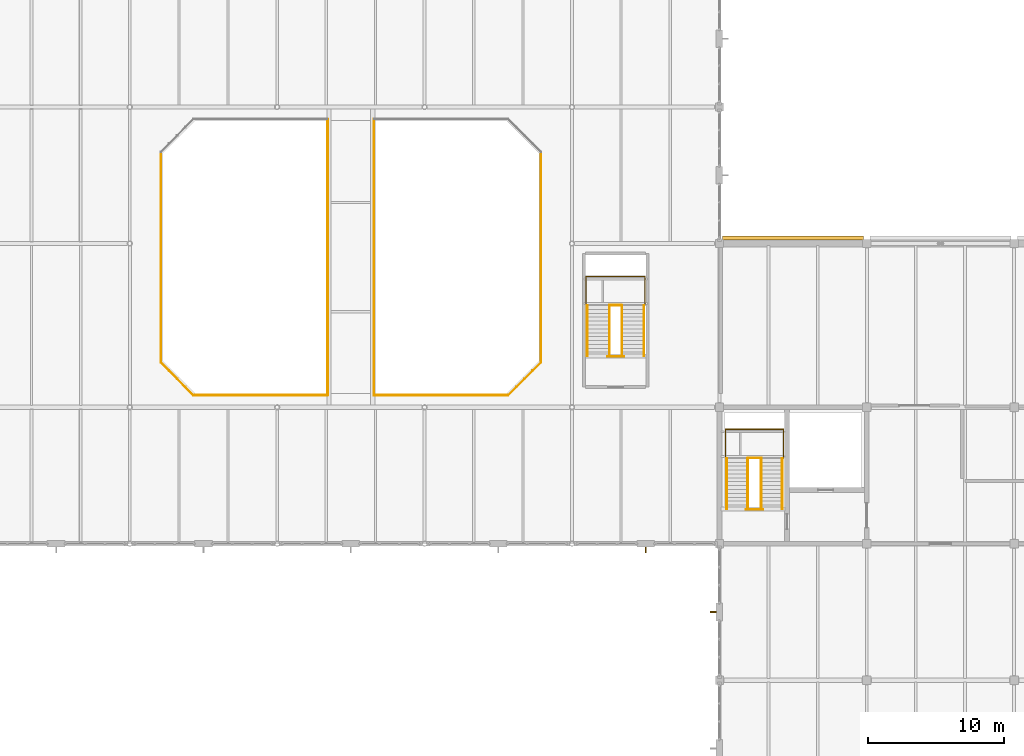
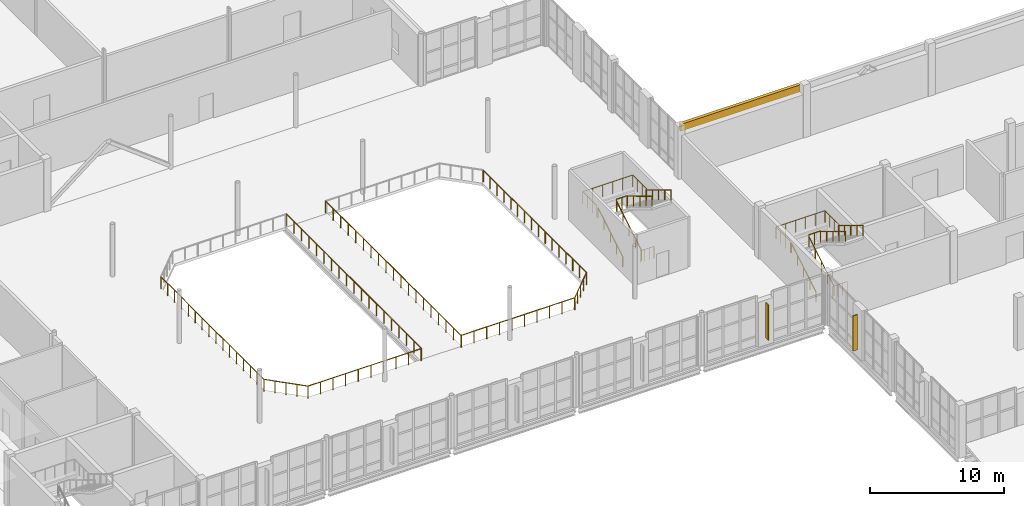
# One storey, part 94 of 100: 22 railings, 2 shading devices, 1 covering.
"""IFC4 building model written with IfcOpenShell, lengths in metres."""

from ifc_helpers import new_model, si_unit, direction, frame, origin, origin_2d, place, context, subcontext, project, spatial, rectangle, circle, extrude, material, layer, layer_set, type_object, element, save


model = new_model("IFC4")

# Units and contexts
model_context = context("Model", 3, precision=1e-05, world=origin(), true_north=direction((0.0, 1.0)))
body_context = subcontext(model_context, "Body", "Model", "MODEL_VIEW")
ifc_project = project(units=[si_unit("LENGTHUNIT", "METRE"), si_unit("AREAUNIT", "SQUARE_METRE"), si_unit("VOLUMEUNIT", "CUBIC_METRE"), si_unit("PLANEANGLEUNIT", "RADIAN"), si_unit("MASSUNIT", "GRAM", prefix="KILO")], contexts=[model_context])

# Site, building, storey
site_placement = place(None, origin())
site = spatial("IfcSite", under=ifc_project, at=site_placement, CompositionType="ELEMENT")
building_placement = place(site_placement, origin())
building = spatial("IfcBuilding", under=site, at=building_placement, Name="Tasgan Crest Museum", CompositionType="ELEMENT")
storey_placement = place(building_placement, frame((0.0, 0.0, 9.60009765625)))
storey = spatial("IfcBuildingStorey", under=building, at=storey_placement, Name="L02", CompositionType="ELEMENT", Elevation=9.60009765625)

# Covering
ifc_material_1 = material(Name="Honed Buff Limestone", Category="masonry")
ifc_layer = layer(ifc_material_1, 0.044921875, Name="COV-LIMESTONE-BUFF")
ifc_layer_set = layer_set([ifc_layer], Name="Honed Buff Limestone")
covering_type = type_object("IfcCoveringType", Name="COV-LIMESTONE-BUFF", PredefinedType="CLADDING", material=ifc_layer_set)
covering_placement = place(storey_placement, frame((113.39990234375, 62.39990234375, 3.87890625), z_axis=(0.0, 0.0, 1.0), x_axis=(-1.0, 0.0, 0.0)))
element("IfcCovering", 1, at=covering_placement, inside=storey, type_object=covering_type, Name="Stone frieze cladding L02", PredefinedType="CLADDING", context=body_context, shape_type="SweptSolid", body=[
    extrude(rectangle(XDim=10.31005859375, YDim=0.280029296875, at=origin_2d()), origin(), (0.0, 0.0, 1.0), 0.631103515625),
])

# Railings
ifc_material_2 = material(Name="Brushed Bronze and Toughened Glass", Category="glass")
railing_type_1 = type_object("IfcRailingType", Name="RL-INT-GUARD-1120", PredefinedType="GUARDRAIL", material=ifc_material_2)
railing_1_placement = place(storey_placement, frame((109.93994140625, 42.52001953125, 0.0)))
element("IfcRailing", 2, at=railing_1_placement, inside=storey, type_object=railing_type_1, Name="East Conservation Core floor slot guard L02", PredefinedType="GUARDRAIL", context=body_context, shape_type="SweptSolid", body=[
    extrude(circle(Radius=0.02392578125, at=origin_2d()), frame((0.0, 0.0, 1.09619140625), z_axis=(1.0, 0.0, 0.0), x_axis=(0.0, 1.0, 0.0)), (0.0, 0.0, 1.0), 1.27001953125),
    extrude(circle(Radius=0.02099609375, at=origin_2d()), origin(), (0.0, 0.0, 1.0), 1.072021484375),
    extrude(circle(Radius=0.02099609375, at=origin_2d()), frame((0.42333984375, 0.0, 0.0)), (0.0, 0.0, 1.0), 1.072021484375),
    extrude(circle(Radius=0.02099609375, at=origin_2d()), frame((0.8466796875, 0.0, 0.0)), (0.0, 0.0, 1.0), 1.072021484375),
    extrude(circle(Radius=0.02099609375, at=origin_2d()), frame((1.27001953125, 0.0, 0.0)), (0.0, 0.0, 1.0), 1.072021484375),
])
railing_2_placement = place(storey_placement, frame((110.080078125, 46.27490234375, 2.39990234375)))
element("IfcRailing", 3, at=railing_2_placement, inside=storey, type_object=railing_type_1, Name="Stair half-landing well guard ST-SE-L02 T1", PredefinedType="GUARDRAIL", context=body_context, shape_type="SweptSolid", body=[
    extrude(circle(Radius=0.02392578125, at=origin_2d()), frame((0.0, 0.0, 1.09619140625), z_axis=(1.0, 0.0, 0.0), x_axis=(0.0, 1.0, 0.0)), (0.0, 0.0, 1.0), 0.989990234375),
    extrude(circle(Radius=0.02099609375, at=origin_2d()), origin(), (0.0, 0.0, 1.0), 1.072021484375),
    extrude(circle(Radius=0.02099609375, at=origin_2d()), frame((0.4951171875, 0.0, 0.0)), (0.0, 0.0, 1.0), 1.072021484375),
    extrude(circle(Radius=0.02099609375, at=origin_2d()), frame((0.989990234375, 0.0, 0.0)), (0.0, 0.0, 1.0), 1.072021484375),
])
railing_3_placement = place(storey_placement, frame((108.4599609375, 46.294921875, 2.39990234375)))
element("IfcRailing", 4, at=railing_3_placement, inside=storey, type_object=railing_type_1, Name="Stair half-landing perimeter guard ST-SE-L02 T1", PredefinedType="GUARDRAIL", context=body_context, shape_type="SweptSolid", body=[
    extrude(circle(Radius=0.02392578125, at=origin_2d()), frame((0.0, 0.0, 1.09619140625), z_axis=(0.0, 1.0, 0.0), x_axis=(-1.0, 0.0, 0.0)), (0.0, 0.0, 1.0), 2.10009765625),
    extrude(circle(Radius=0.02392578125, at=origin_2d()), frame((0.0, 2.10009765625, 1.09619140625), z_axis=(1.0, 0.0, 0.0), x_axis=(0.0, 1.0, 0.0)), (0.0, 0.0, 1.0), 4.22998046875),
    extrude(circle(Radius=0.02392578125, at=origin_2d()), frame((4.22998046875, 2.10009765625, 1.09619140625), z_axis=(0.0, -1.0, 0.0), x_axis=(1.0, 0.0, 0.0)), (0.0, 0.0, 1.0), 2.10009765625),
    extrude(circle(Radius=0.02099609375, at=origin_2d()), origin(), (0.0, 0.0, 1.0), 1.072021484375),
    extrude(circle(Radius=0.02099609375, at=origin_2d()), frame((0.0, 0.699951171875, 0.0)), (0.0, 0.0, 1.0), 1.072021484375),
    extrude(circle(Radius=0.02099609375, at=origin_2d()), frame((0.0, 1.400146484375, 0.0)), (0.0, 0.0, 1.0), 1.072021484375),
    extrude(circle(Radius=0.02099609375, at=origin_2d()), frame((0.0, 2.10009765625, 0.0)), (0.0, 0.0, 1.0), 1.072021484375),
    extrude(circle(Radius=0.02099609375, at=origin_2d()), frame((0.845947265625, 2.10009765625, 0.0)), (0.0, 0.0, 1.0), 1.072021484375),
    extrude(circle(Radius=0.02099609375, at=origin_2d()), frame((1.69189453125, 2.10009765625, 0.0)), (0.0, 0.0, 1.0), 1.072021484375),
    extrude(circle(Radius=0.02099609375, at=origin_2d()), frame((2.5380859375, 2.10009765625, 0.0)), (0.0, 0.0, 1.0), 1.072021484375),
    extrude(circle(Radius=0.02099609375, at=origin_2d()), frame((3.384033203125, 2.10009765625, 0.0)), (0.0, 0.0, 1.0), 1.072021484375),
    extrude(circle(Radius=0.02099609375, at=origin_2d()), frame((4.22998046875, 2.10009765625, 0.0)), (0.0, 0.0, 1.0), 1.072021484375),
    extrude(circle(Radius=0.02099609375, at=origin_2d()), frame((4.22998046875, 1.400146484375, 0.0)), (0.0, 0.0, 1.0), 1.072021484375),
    extrude(circle(Radius=0.02099609375, at=origin_2d()), frame((4.22998046875, 0.699951171875, 0.0)), (0.0, 0.0, 1.0), 1.072021484375),
    extrude(circle(Radius=0.02099609375, at=origin_2d()), frame((4.22998046875, 0.0, 0.0)), (0.0, 0.0, 1.0), 1.072021484375),
])
railing_4_placement = place(storey_placement, frame((99.800048828125, 53.719970703125, 0.0)))
element("IfcRailing", 5, at=railing_4_placement, inside=storey, type_object=railing_type_1, Name="ATRIUM floor slot guard L02", PredefinedType="GUARDRAIL", context=body_context, shape_type="SweptSolid", body=[
    extrude(circle(Radius=0.02392578125, at=origin_2d()), frame((0.0, 0.0, 1.09619140625), z_axis=(1.0, 0.0, 0.0), x_axis=(0.0, 1.0, 0.0)), (0.0, 0.0, 1.0), 1.199951171875),
    extrude(circle(Radius=0.02099609375, at=origin_2d()), origin(), (0.0, 0.0, 1.0), 1.072021484375),
    extrude(circle(Radius=0.02099609375, at=origin_2d()), frame((0.39990234375, 0.0, 0.0)), (0.0, 0.0, 1.0), 1.072021484375),
    extrude(circle(Radius=0.02099609375, at=origin_2d()), frame((0.800048828125, 0.0, 0.0)), (0.0, 0.0, 1.0), 1.072021484375),
    extrude(circle(Radius=0.02099609375, at=origin_2d()), frame((1.199951171875, 0.0, 0.0)), (0.0, 0.0, 1.0), 1.072021484375),
])
railing_5_placement = place(storey_placement, frame((99.93994140625, 57.47509765625, 2.39990234375)))
element("IfcRailing", 6, at=railing_5_placement, inside=storey, type_object=railing_type_1, Name="Stair half-landing well guard ST-AT-L02 T1", PredefinedType="GUARDRAIL", context=body_context, shape_type="SweptSolid", body=[
    extrude(circle(Radius=0.02392578125, at=origin_2d()), frame((0.0, 0.0, 1.09619140625), z_axis=(1.0, 0.0, 0.0), x_axis=(0.0, 1.0, 0.0)), (0.0, 0.0, 1.0), 0.920166015625),
    extrude(circle(Radius=0.02099609375, at=origin_2d()), origin(), (0.0, 0.0, 1.0), 1.072021484375),
    extrude(circle(Radius=0.02099609375, at=origin_2d()), frame((0.4599609375, 0.0, 0.0)), (0.0, 0.0, 1.0), 1.072021484375),
    extrude(circle(Radius=0.02099609375, at=origin_2d()), frame((0.920166015625, 0.0, 0.0)), (0.0, 0.0, 1.0), 1.072021484375),
])
railing_6_placement = place(storey_placement, frame((98.239990234375, 57.4951171875, 2.39990234375)))
element("IfcRailing", 7, at=railing_6_placement, inside=storey, type_object=railing_type_1, Name="Stair half-landing perimeter guard ST-AT-L02 T1", PredefinedType="GUARDRAIL", context=body_context, shape_type="SweptSolid", body=[
    extrude(circle(Radius=0.02392578125, at=origin_2d()), frame((0.0, 0.0, 1.09619140625), z_axis=(0.0, 1.0, 0.0), x_axis=(-1.0, 0.0, 0.0)), (0.0, 0.0, 1.0), 2.099853515625),
    extrude(circle(Radius=0.02392578125, at=origin_2d()), frame((0.0, 2.099853515625, 1.09619140625), z_axis=(1.0, 0.0, 0.0), x_axis=(0.0, 1.0, 0.0)), (0.0, 0.0, 1.0), 4.320068359375),
    extrude(circle(Radius=0.02392578125, at=origin_2d()), frame((4.320068359375, 2.099853515625, 1.09619140625), z_axis=(0.0, -1.0, 0.0), x_axis=(1.0, 0.0, 0.0)), (0.0, 0.0, 1.0), 2.099853515625),
    extrude(circle(Radius=0.02099609375, at=origin_2d()), origin(), (0.0, 0.0, 1.0), 1.072021484375),
    extrude(circle(Radius=0.02099609375, at=origin_2d()), frame((0.0, 0.699951171875, 0.0)), (0.0, 0.0, 1.0), 1.072021484375),
    extrude(circle(Radius=0.02099609375, at=origin_2d()), frame((0.0, 1.39990234375, 0.0)), (0.0, 0.0, 1.0), 1.072021484375),
    extrude(circle(Radius=0.02099609375, at=origin_2d()), frame((0.0, 2.099853515625, 0.0)), (0.0, 0.0, 1.0), 1.072021484375),
    extrude(circle(Radius=0.02099609375, at=origin_2d()), frame((0.864013671875, 2.099853515625, 0.0)), (0.0, 0.0, 1.0), 1.072021484375),
    extrude(circle(Radius=0.02099609375, at=origin_2d()), frame((1.72802734375, 2.099853515625, 0.0)), (0.0, 0.0, 1.0), 1.072021484375),
    extrude(circle(Radius=0.02099609375, at=origin_2d()), frame((2.592041015625, 2.099853515625, 0.0)), (0.0, 0.0, 1.0), 1.072021484375),
    extrude(circle(Radius=0.02099609375, at=origin_2d()), frame((3.4560546875, 2.099853515625, 0.0)), (0.0, 0.0, 1.0), 1.072021484375),
    extrude(circle(Radius=0.02099609375, at=origin_2d()), frame((4.320068359375, 2.099853515625, 0.0)), (0.0, 0.0, 1.0), 1.072021484375),
    extrude(circle(Radius=0.02099609375, at=origin_2d()), frame((4.320068359375, 1.39990234375, 0.0)), (0.0, 0.0, 1.0), 1.072021484375),
    extrude(circle(Radius=0.02099609375, at=origin_2d()), frame((4.320068359375, 0.699951171875, 0.0)), (0.0, 0.0, 1.0), 1.072021484375),
    extrude(circle(Radius=0.02099609375, at=origin_2d()), frame((4.320068359375, 0.0, 0.0)), (0.0, 0.0, 1.0), 1.072021484375),
])
for number, where, name in (
    (8, (69.47998046875, 50.8798828125, 0.0), "Atrium void guard L02 0A"),
    (9, (82.75, 50.8798828125, 0.0), "Atrium void guard L02 0B"),
):
    element("IfcRailing", number, at=place(storey_placement, frame(where)), inside=storey, type_object=railing_type_1, Name=name, PredefinedType="GUARDRAIL", context=body_context, shape_type="SweptSolid", body=[
        extrude(circle(Radius=0.02392578125, at=origin_2d()), frame((0.0, 0.0, 1.09619140625), z_axis=(1.0, 0.0, 0.0), x_axis=(0.0, 1.0, 0.0)), (0.0, 0.0, 1.0), 9.77001953125),
        extrude(circle(Radius=0.02099609375, at=origin_2d()), origin(), (0.0, 0.0, 1.0), 1.072021484375),
        extrude(circle(Radius=0.02099609375, at=origin_2d()), frame((1.08544921875, 0.0, 0.0)), (0.0, 0.0, 1.0), 1.072021484375),
        extrude(circle(Radius=0.02099609375, at=origin_2d()), frame((2.171142578125, 0.0, 0.0)), (0.0, 0.0, 1.0), 1.072021484375),
        extrude(circle(Radius=0.02099609375, at=origin_2d()), frame((3.256591796875, 0.0, 0.0)), (0.0, 0.0, 1.0), 1.072021484375),
        extrude(circle(Radius=0.02099609375, at=origin_2d()), frame((4.34228515625, 0.0, 0.0)), (0.0, 0.0, 1.0), 1.072021484375),
        extrude(circle(Radius=0.02099609375, at=origin_2d()), frame((5.427734375, 0.0, 0.0)), (0.0, 0.0, 1.0), 1.072021484375),
        extrude(circle(Radius=0.02099609375, at=origin_2d()), frame((6.513427734375, 0.0, 0.0)), (0.0, 0.0, 1.0), 1.072021484375),
        extrude(circle(Radius=0.02099609375, at=origin_2d()), frame((7.598876953125, 0.0, 0.0)), (0.0, 0.0, 1.0), 1.072021484375),
        extrude(circle(Radius=0.02099609375, at=origin_2d()), frame((8.6845703125, 0.0, 0.0)), (0.0, 0.0, 1.0), 1.072021484375),
        extrude(circle(Radius=0.02099609375, at=origin_2d()), frame((9.77001953125, 0.0, 0.0)), (0.0, 0.0, 1.0), 1.072021484375),
    ])
railing_7_placement = place(storey_placement, frame((92.52001953125, 50.8798828125, 0.0)))
element("IfcRailing", 10, at=railing_7_placement, inside=storey, type_object=railing_type_1, Name="Atrium void guard L02 1", PredefinedType="GUARDRAIL", context=body_context, shape_type="SweptSolid", body=[
    extrude(circle(Radius=0.02392578125, at=origin_2d()), frame((0.0, 0.0, 1.09619140625), z_axis=(0.707070815327, 0.707142745217, 0.0), x_axis=(-0.707142745217, 0.707070815327, 0.0)), (0.0, 0.0, 1.0), 3.39404296875),
    extrude(circle(Radius=0.02099609375, at=origin_2d()), origin(), (0.0, 0.0, 1.0), 1.072021484375),
    extrude(circle(Radius=0.02099609375, at=origin_2d()), frame((0.60009765625, 0.60009765625, 0.0)), (0.0, 0.0, 1.0), 1.072021484375),
    extrude(circle(Radius=0.02099609375, at=origin_2d()), frame((1.199951171875, 1.2001953125, 0.0)), (0.0, 0.0, 1.0), 1.072021484375),
    extrude(circle(Radius=0.02099609375, at=origin_2d()), frame((1.7998046875, 1.800048828125, 0.0)), (0.0, 0.0, 1.0), 1.072021484375),
    extrude(circle(Radius=0.02099609375, at=origin_2d()), frame((2.39990234375, 2.400146484375, 0.0)), (0.0, 0.0, 1.0), 1.072021484375),
])
railing_8_placement = place(storey_placement, frame((94.919921875, 53.280029296875, 0.0)))
element("IfcRailing", 11, at=railing_8_placement, inside=storey, type_object=railing_type_1, Name="Atrium void guard L02 2", PredefinedType="GUARDRAIL", context=body_context, shape_type="SweptSolid", body=[
    extrude(circle(Radius=0.02392578125, at=origin_2d()), frame((0.0, 0.0, 1.09619140625), z_axis=(0.0, 1.0, 0.0), x_axis=(-1.0, 0.0, 0.0)), (0.0, 0.0, 1.0), 15.43994140625),
    extrude(circle(Radius=0.02099609375, at=origin_2d()), origin(), (0.0, 0.0, 1.0), 1.072021484375),
    extrude(circle(Radius=0.02099609375, at=origin_2d()), frame((0.0, 1.029296875, 0.0)), (0.0, 0.0, 1.0), 1.072021484375),
    extrude(circle(Radius=0.02099609375, at=origin_2d()), frame((0.0, 2.05859375, 0.0)), (0.0, 0.0, 1.0), 1.072021484375),
    extrude(circle(Radius=0.02099609375, at=origin_2d()), frame((0.0, 3.087890625, 0.0)), (0.0, 0.0, 1.0), 1.072021484375),
    extrude(circle(Radius=0.02099609375, at=origin_2d()), frame((0.0, 4.117431640625, 0.0)), (0.0, 0.0, 1.0), 1.072021484375),
    extrude(circle(Radius=0.02099609375, at=origin_2d()), frame((0.0, 5.146728515625, 0.0)), (0.0, 0.0, 1.0), 1.072021484375),
    extrude(circle(Radius=0.02099609375, at=origin_2d()), frame((0.0, 6.176025390625, 0.0)), (0.0, 0.0, 1.0), 1.072021484375),
    extrude(circle(Radius=0.02099609375, at=origin_2d()), frame((0.0, 7.205322265625, 0.0)), (0.0, 0.0, 1.0), 1.072021484375),
    extrude(circle(Radius=0.02099609375, at=origin_2d()), frame((0.0, 8.234619140625, 0.0)), (0.0, 0.0, 1.0), 1.072021484375),
    extrude(circle(Radius=0.02099609375, at=origin_2d()), frame((0.0, 9.263916015625, 0.0)), (0.0, 0.0, 1.0), 1.072021484375),
    extrude(circle(Radius=0.02099609375, at=origin_2d()), frame((0.0, 10.293212890625, 0.0)), (0.0, 0.0, 1.0), 1.072021484375),
    extrude(circle(Radius=0.02099609375, at=origin_2d()), frame((0.0, 11.322509765625, 0.0)), (0.0, 0.0, 1.0), 1.072021484375),
    extrude(circle(Radius=0.02099609375, at=origin_2d()), frame((0.0, 12.35205078125, 0.0)), (0.0, 0.0, 1.0), 1.072021484375),
    extrude(circle(Radius=0.02099609375, at=origin_2d()), frame((0.0, 13.38134765625, 0.0)), (0.0, 0.0, 1.0), 1.072021484375),
    extrude(circle(Radius=0.02099609375, at=origin_2d()), frame((0.0, 14.41064453125, 0.0)), (0.0, 0.0, 1.0), 1.072021484375),
    extrude(circle(Radius=0.02099609375, at=origin_2d()), frame((0.0, 15.43994140625, 0.0)), (0.0, 0.0, 1.0), 1.072021484375),
])
railing_9_placement = place(storey_placement, frame((67.080078125, 68.719970703125, 0.0)))
element("IfcRailing", 12, at=railing_9_placement, inside=storey, type_object=railing_type_1, Name="Atrium void guard L02 6", PredefinedType="GUARDRAIL", context=body_context, shape_type="SweptSolid", body=[
    extrude(circle(Radius=0.02392578125, at=origin_2d()), frame((0.0, 0.0, 1.09619140625), z_axis=(0.0, -1.0, 0.0), x_axis=(1.0, 0.0, 0.0)), (0.0, 0.0, 1.0), 15.43994140625),
    extrude(circle(Radius=0.02099609375, at=origin_2d()), origin(), (0.0, 0.0, 1.0), 1.072021484375),
    extrude(circle(Radius=0.02099609375, at=origin_2d()), frame((0.0, -1.029296875, 0.0)), (0.0, 0.0, 1.0), 1.072021484375),
    extrude(circle(Radius=0.02099609375, at=origin_2d()), frame((0.0, -2.05859375, 0.0)), (0.0, 0.0, 1.0), 1.072021484375),
    extrude(circle(Radius=0.02099609375, at=origin_2d()), frame((0.0, -3.087890625, 0.0)), (0.0, 0.0, 1.0), 1.072021484375),
    extrude(circle(Radius=0.02099609375, at=origin_2d()), frame((0.0, -4.117431640625, 0.0)), (0.0, 0.0, 1.0), 1.072021484375),
    extrude(circle(Radius=0.02099609375, at=origin_2d()), frame((0.0, -5.146728515625, 0.0)), (0.0, 0.0, 1.0), 1.072021484375),
    extrude(circle(Radius=0.02099609375, at=origin_2d()), frame((0.0, -6.176025390625, 0.0)), (0.0, 0.0, 1.0), 1.072021484375),
    extrude(circle(Radius=0.02099609375, at=origin_2d()), frame((0.0, -7.205322265625, 0.0)), (0.0, 0.0, 1.0), 1.072021484375),
    extrude(circle(Radius=0.02099609375, at=origin_2d()), frame((0.0, -8.234619140625, 0.0)), (0.0, 0.0, 1.0), 1.072021484375),
    extrude(circle(Radius=0.02099609375, at=origin_2d()), frame((0.0, -9.263916015625, 0.0)), (0.0, 0.0, 1.0), 1.072021484375),
    extrude(circle(Radius=0.02099609375, at=origin_2d()), frame((0.0, -10.293212890625, 0.0)), (0.0, 0.0, 1.0), 1.072021484375),
    extrude(circle(Radius=0.02099609375, at=origin_2d()), frame((0.0, -11.322509765625, 0.0)), (0.0, 0.0, 1.0), 1.072021484375),
    extrude(circle(Radius=0.02099609375, at=origin_2d()), frame((0.0, -12.35205078125, 0.0)), (0.0, 0.0, 1.0), 1.072021484375),
    extrude(circle(Radius=0.02099609375, at=origin_2d()), frame((0.0, -13.38134765625, 0.0)), (0.0, 0.0, 1.0), 1.072021484375),
    extrude(circle(Radius=0.02099609375, at=origin_2d()), frame((0.0, -14.41064453125, 0.0)), (0.0, 0.0, 1.0), 1.072021484375),
    extrude(circle(Radius=0.02099609375, at=origin_2d()), frame((0.0, -15.43994140625, 0.0)), (0.0, 0.0, 1.0), 1.072021484375),
])
railing_10_placement = place(storey_placement, frame((67.080078125, 53.280029296875, 0.0)))
element("IfcRailing", 13, at=railing_10_placement, inside=storey, type_object=railing_type_1, Name="Atrium void guard L02 7", PredefinedType="GUARDRAIL", context=body_context, shape_type="SweptSolid", body=[
    extrude(circle(Radius=0.02392578125, at=origin_2d()), frame((0.0, 0.0, 1.09619140625), z_axis=(0.707070815327, -0.707142745217, 0.0), x_axis=(0.707142745217, 0.707070815327, 0.0)), (0.0, 0.0, 1.0), 3.39404296875),
    extrude(circle(Radius=0.02099609375, at=origin_2d()), origin(), (0.0, 0.0, 1.0), 1.072021484375),
    extrude(circle(Radius=0.02099609375, at=origin_2d()), frame((0.60009765625, -0.60009765625, 0.0)), (0.0, 0.0, 1.0), 1.072021484375),
    extrude(circle(Radius=0.02099609375, at=origin_2d()), frame((1.199951171875, -1.2001953125, 0.0)), (0.0, 0.0, 1.0), 1.072021484375),
    extrude(circle(Radius=0.02099609375, at=origin_2d()), frame((1.7998046875, -1.800048828125, 0.0)), (0.0, 0.0, 1.0), 1.072021484375),
    extrude(circle(Radius=0.02099609375, at=origin_2d()), frame((2.39990234375, -2.400146484375, 0.0)), (0.0, 0.0, 1.0), 1.072021484375),
])
railing_11_placement = place(storey_placement, frame((79.300048828125, 50.8798828125, 0.0)))
element("IfcRailing", 14, at=railing_11_placement, inside=storey, type_object=railing_type_1, Name="Atrium bridge guardrail L02 W", PredefinedType="GUARDRAIL", context=body_context, shape_type="SweptSolid", body=[
    extrude(circle(Radius=0.02392578125, at=origin_2d()), frame((0.0, 0.0, 1.09619140625), z_axis=(0.0, 1.0, 0.0), x_axis=(-1.0, 0.0, 0.0)), (0.0, 0.0, 1.0), 20.240234375),
    extrude(circle(Radius=0.02099609375, at=origin_2d()), origin(), (0.0, 0.0, 1.0), 1.072021484375),
    extrude(circle(Radius=0.02099609375, at=origin_2d()), frame((0.0, 1.12451171875, 0.0)), (0.0, 0.0, 1.0), 1.072021484375),
    extrude(circle(Radius=0.02099609375, at=origin_2d()), frame((0.0, 2.2490234375, 0.0)), (0.0, 0.0, 1.0), 1.072021484375),
    extrude(circle(Radius=0.02099609375, at=origin_2d()), frame((0.0, 3.373291015625, 0.0)), (0.0, 0.0, 1.0), 1.072021484375),
    extrude(circle(Radius=0.02099609375, at=origin_2d()), frame((0.0, 4.497802734375, 0.0)), (0.0, 0.0, 1.0), 1.072021484375),
    extrude(circle(Radius=0.02099609375, at=origin_2d()), frame((0.0, 5.622314453125, 0.0)), (0.0, 0.0, 1.0), 1.072021484375),
    extrude(circle(Radius=0.02099609375, at=origin_2d()), frame((0.0, 6.746826171875, 0.0)), (0.0, 0.0, 1.0), 1.072021484375),
    extrude(circle(Radius=0.02099609375, at=origin_2d()), frame((0.0, 7.87109375, 0.0)), (0.0, 0.0, 1.0), 1.072021484375),
    extrude(circle(Radius=0.02099609375, at=origin_2d()), frame((0.0, 8.99560546875, 0.0)), (0.0, 0.0, 1.0), 1.072021484375),
    extrude(circle(Radius=0.02099609375, at=origin_2d()), frame((0.0, 10.1201171875, 0.0)), (0.0, 0.0, 1.0), 1.072021484375),
    extrude(circle(Radius=0.02099609375, at=origin_2d()), frame((0.0, 11.24462890625, 0.0)), (0.0, 0.0, 1.0), 1.072021484375),
    extrude(circle(Radius=0.02099609375, at=origin_2d()), frame((0.0, 12.369140625, 0.0)), (0.0, 0.0, 1.0), 1.072021484375),
    extrude(circle(Radius=0.02099609375, at=origin_2d()), frame((0.0, 13.493408203125, 0.0)), (0.0, 0.0, 1.0), 1.072021484375),
    extrude(circle(Radius=0.02099609375, at=origin_2d()), frame((0.0, 14.617919921875, 0.0)), (0.0, 0.0, 1.0), 1.072021484375),
    extrude(circle(Radius=0.02099609375, at=origin_2d()), frame((0.0, 15.742431640625, 0.0)), (0.0, 0.0, 1.0), 1.072021484375),
    extrude(circle(Radius=0.02099609375, at=origin_2d()), frame((0.0, 16.866943359375, 0.0)), (0.0, 0.0, 1.0), 1.072021484375),
    extrude(circle(Radius=0.02099609375, at=origin_2d()), frame((0.0, 17.9912109375, 0.0)), (0.0, 0.0, 1.0), 1.072021484375),
    extrude(circle(Radius=0.02099609375, at=origin_2d()), frame((0.0, 19.11572265625, 0.0)), (0.0, 0.0, 1.0), 1.072021484375),
    extrude(circle(Radius=0.02099609375, at=origin_2d()), frame((0.0, 20.240234375, 0.0)), (0.0, 0.0, 1.0), 1.072021484375),
])
railing_12_placement = place(storey_placement, frame((82.699951171875, 50.8798828125, 0.0)))
element("IfcRailing", 15, at=railing_12_placement, inside=storey, type_object=railing_type_1, Name="Atrium bridge guardrail L02 E", PredefinedType="GUARDRAIL", context=body_context, shape_type="SweptSolid", body=[
    extrude(circle(Radius=0.02392578125, at=origin_2d()), frame((0.0, 0.0, 1.09619140625), z_axis=(0.0, 1.0, 0.0), x_axis=(-1.0, 0.0, 0.0)), (0.0, 0.0, 1.0), 20.240234375),
    extrude(circle(Radius=0.02099609375, at=origin_2d()), origin(), (0.0, 0.0, 1.0), 1.072021484375),
    extrude(circle(Radius=0.02099609375, at=origin_2d()), frame((0.0, 1.12451171875, 0.0)), (0.0, 0.0, 1.0), 1.072021484375),
    extrude(circle(Radius=0.02099609375, at=origin_2d()), frame((0.0, 2.2490234375, 0.0)), (0.0, 0.0, 1.0), 1.072021484375),
    extrude(circle(Radius=0.02099609375, at=origin_2d()), frame((0.0, 3.373291015625, 0.0)), (0.0, 0.0, 1.0), 1.072021484375),
    extrude(circle(Radius=0.02099609375, at=origin_2d()), frame((0.0, 4.497802734375, 0.0)), (0.0, 0.0, 1.0), 1.072021484375),
    extrude(circle(Radius=0.02099609375, at=origin_2d()), frame((0.0, 5.622314453125, 0.0)), (0.0, 0.0, 1.0), 1.072021484375),
    extrude(circle(Radius=0.02099609375, at=origin_2d()), frame((0.0, 6.746826171875, 0.0)), (0.0, 0.0, 1.0), 1.072021484375),
    extrude(circle(Radius=0.02099609375, at=origin_2d()), frame((0.0, 7.87109375, 0.0)), (0.0, 0.0, 1.0), 1.072021484375),
    extrude(circle(Radius=0.02099609375, at=origin_2d()), frame((0.0, 8.99560546875, 0.0)), (0.0, 0.0, 1.0), 1.072021484375),
    extrude(circle(Radius=0.02099609375, at=origin_2d()), frame((0.0, 10.1201171875, 0.0)), (0.0, 0.0, 1.0), 1.072021484375),
    extrude(circle(Radius=0.02099609375, at=origin_2d()), frame((0.0, 11.24462890625, 0.0)), (0.0, 0.0, 1.0), 1.072021484375),
    extrude(circle(Radius=0.02099609375, at=origin_2d()), frame((0.0, 12.369140625, 0.0)), (0.0, 0.0, 1.0), 1.072021484375),
    extrude(circle(Radius=0.02099609375, at=origin_2d()), frame((0.0, 13.493408203125, 0.0)), (0.0, 0.0, 1.0), 1.072021484375),
    extrude(circle(Radius=0.02099609375, at=origin_2d()), frame((0.0, 14.617919921875, 0.0)), (0.0, 0.0, 1.0), 1.072021484375),
    extrude(circle(Radius=0.02099609375, at=origin_2d()), frame((0.0, 15.742431640625, 0.0)), (0.0, 0.0, 1.0), 1.072021484375),
    extrude(circle(Radius=0.02099609375, at=origin_2d()), frame((0.0, 16.866943359375, 0.0)), (0.0, 0.0, 1.0), 1.072021484375),
    extrude(circle(Radius=0.02099609375, at=origin_2d()), frame((0.0, 17.9912109375, 0.0)), (0.0, 0.0, 1.0), 1.072021484375),
    extrude(circle(Radius=0.02099609375, at=origin_2d()), frame((0.0, 19.11572265625, 0.0)), (0.0, 0.0, 1.0), 1.072021484375),
    extrude(circle(Radius=0.02099609375, at=origin_2d()), frame((0.0, 20.240234375, 0.0)), (0.0, 0.0, 1.0), 1.072021484375),
])
ifc_material_3 = material(Name="Brushed Stainless Steel", Category="steel")
railing_type_2 = type_object("IfcRailingType", Name="RL-STAIR-HAND-920", PredefinedType="HANDRAIL", material=ifc_material_3)
for number, where, name in (
    (16, (108.5400390625, 42.550048828125, 0.17138671875), "Stair handrail STAIR-CORE-SE-L02-F1 L"),
    (17, (110.080078125, 42.550048828125, 0.17138671875), "Stair handrail STAIR-CORE-SE-L02-F1 R"),
):
    element("IfcRailing", number, at=place(storey_placement, frame(where)), inside=storey, type_object=railing_type_2, Name=name, PredefinedType="HANDRAIL", context=body_context, shape_type="SweptSolid", body=[
        extrude(circle(Radius=0.02392578125, at=origin_2d()), frame((0.0, 0.0, 0.89599609375), z_axis=(0.0, 0.856919398105, 0.515450429384), x_axis=(-1.0, 0.0, 0.0)), (0.0, 0.0, 1.0), 4.323486328125),
        extrude(circle(Radius=0.02099609375, at=origin_2d()), origin(), (0.0, 0.0, 1.0), 0.871826171875),
        extrude(circle(Radius=0.02099609375, at=origin_2d()), frame((0.0, 0.92626953125, 0.55712890625)), (0.0, 0.0, 1.0), 0.871826171875),
        extrude(circle(Radius=0.02099609375, at=origin_2d()), frame((0.0, 1.8525390625, 1.1142578125)), (0.0, 0.0, 1.0), 0.871826171875),
        extrude(circle(Radius=0.02099609375, at=origin_2d()), frame((0.0, 2.778564453125, 1.67138671875)), (0.0, 0.0, 1.0), 0.871826171875),
        extrude(circle(Radius=0.02099609375, at=origin_2d()), frame((0.0, 3.704833984375, 2.228515625)), (0.0, 0.0, 1.0), 0.871826171875),
    ])
for number, where, name in (
    (18, (112.610107421875, 46.2548828125, 2.5712890625), "Stair handrail STAIR-CORE-SE-L02-F2 L"),
    (19, (111.070068359375, 46.2548828125, 2.5712890625), "Stair handrail STAIR-CORE-SE-L02-F2 R"),
):
    element("IfcRailing", number, at=place(storey_placement, frame(where)), inside=storey, type_object=railing_type_2, Name=name, PredefinedType="HANDRAIL", context=body_context, shape_type="SweptSolid", body=[
        extrude(circle(Radius=0.02392578125, at=origin_2d()), frame((0.0, 0.0, 0.89599609375), z_axis=(0.0, -0.856919398105, 0.515450429384), x_axis=(1.0, 0.0, 0.0)), (0.0, 0.0, 1.0), 4.323486328125),
        extrude(circle(Radius=0.02099609375, at=origin_2d()), origin(), (0.0, 0.0, 1.0), 0.871826171875),
        extrude(circle(Radius=0.02099609375, at=origin_2d()), frame((0.0, -0.92626953125, 0.55712890625)), (0.0, 0.0, 1.0), 0.871826171875),
        extrude(circle(Radius=0.02099609375, at=origin_2d()), frame((0.0, -1.8525390625, 1.1142578125)), (0.0, 0.0, 1.0), 0.871826171875),
        extrude(circle(Radius=0.02099609375, at=origin_2d()), frame((0.0, -2.778564453125, 1.67138671875)), (0.0, 0.0, 1.0), 0.871826171875),
        extrude(circle(Radius=0.02099609375, at=origin_2d()), frame((0.0, -3.704833984375, 2.228515625)), (0.0, 0.0, 1.0), 0.871826171875),
    ])
for number, where, name in (
    (20, (98.320068359375, 53.75, 0.17138671875), "Stair handrail STAIR-ATRIUM-L02-F1 L"),
    (21, (99.93994140625, 53.75, 0.17138671875), "Stair handrail STAIR-ATRIUM-L02-F1 R"),
):
    element("IfcRailing", number, at=place(storey_placement, frame(where)), inside=storey, type_object=railing_type_2, Name=name, PredefinedType="HANDRAIL", context=body_context, shape_type="SweptSolid", body=[
        extrude(circle(Radius=0.02392578125, at=origin_2d()), frame((0.0, 0.0, 0.89599609375), z_axis=(0.0, 0.856934400257, 0.515425487977), x_axis=(-1.0, 0.0, 0.0)), (0.0, 0.0, 1.0), 4.32373046875),
        extrude(circle(Radius=0.02099609375, at=origin_2d()), origin(), (0.0, 0.0, 1.0), 0.871826171875),
        extrude(circle(Radius=0.02099609375, at=origin_2d()), frame((0.0, 0.92626953125, 0.55712890625)), (0.0, 0.0, 1.0), 0.871826171875),
        extrude(circle(Radius=0.02099609375, at=origin_2d()), frame((0.0, 1.8525390625, 1.1142578125)), (0.0, 0.0, 1.0), 0.871826171875),
        extrude(circle(Radius=0.02099609375, at=origin_2d()), frame((0.0, 2.77880859375, 1.67138671875)), (0.0, 0.0, 1.0), 0.871826171875),
        extrude(circle(Radius=0.02099609375, at=origin_2d()), frame((0.0, 3.705078125, 2.228515625)), (0.0, 0.0, 1.0), 0.871826171875),
    ])
for number, where, name in (
    (22, (102.47998046875, 57.455078125, 2.5712890625), "Stair handrail STAIR-ATRIUM-L02-F2 L"),
    (23, (100.860107421875, 57.455078125, 2.5712890625), "Stair handrail STAIR-ATRIUM-L02-F2 R"),
):
    element("IfcRailing", number, at=place(storey_placement, frame(where)), inside=storey, type_object=railing_type_2, Name=name, PredefinedType="HANDRAIL", context=body_context, shape_type="SweptSolid", body=[
        extrude(circle(Radius=0.02392578125, at=origin_2d()), frame((0.0, 0.0, 0.89599609375), z_axis=(0.0, -0.856934400257, 0.515425487977), x_axis=(1.0, 0.0, 0.0)), (0.0, 0.0, 1.0), 4.32373046875),
        extrude(circle(Radius=0.02099609375, at=origin_2d()), origin(), (0.0, 0.0, 1.0), 0.871826171875),
        extrude(circle(Radius=0.02099609375, at=origin_2d()), frame((0.0, -0.92626953125, 0.55712890625)), (0.0, 0.0, 1.0), 0.871826171875),
        extrude(circle(Radius=0.02099609375, at=origin_2d()), frame((0.0, -1.8525390625, 1.1142578125)), (0.0, 0.0, 1.0), 0.871826171875),
        extrude(circle(Radius=0.02099609375, at=origin_2d()), frame((0.0, -2.77880859375, 1.67138671875)), (0.0, 0.0, 1.0), 0.871826171875),
        extrude(circle(Radius=0.02099609375, at=origin_2d()), frame((0.0, -3.705078125, 2.228515625)), (0.0, 0.0, 1.0), 0.871826171875),
    ])

# Shading devices
ifc_material_4 = material(Name="Anodised Bronze Aluminium", Category="aluminium")
shading_device_type = type_object("IfcShadingDeviceType", Name="SH-FIN-V400", PredefinedType="JALOUSIE", material=ifc_material_4)
for number, where, z_axis, x_axis, name in (
    (24, (107.550048828125, 35.0, 0.6796875), (0.0, 0.0, 1.0), (0.0, -1.0, 0.0), "Facade pier solar fin L02"),
    (25, (102.60009765625, 39.550048828125, 0.6796875), (0.0, 0.0, 1.0), (1.0, 0.0, 0.0), "Facade pier solar fin L02"),
):
    element("IfcShadingDevice", number, at=place(storey_placement, frame(where, z_axis=z_axis, x_axis=x_axis)), inside=storey, type_object=shading_device_type, Name=name, PredefinedType="JALOUSIE", context=body_context, shape_type="SweptSolid", body=[
        extrude(rectangle(XDim=0.080078125, YDim=0.419921875, at=origin_2d()), origin(), (0.0, 0.0, 1.0), 3.199951171875),
    ])

save(model, "model.ifc")
